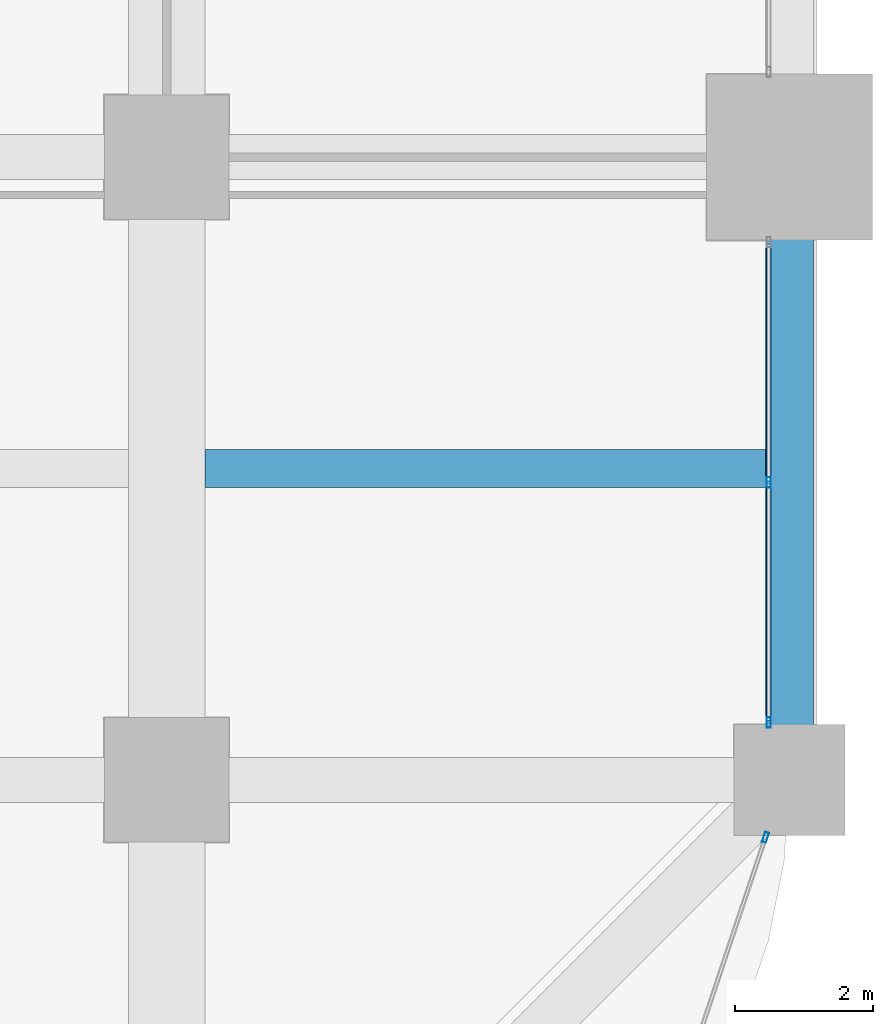
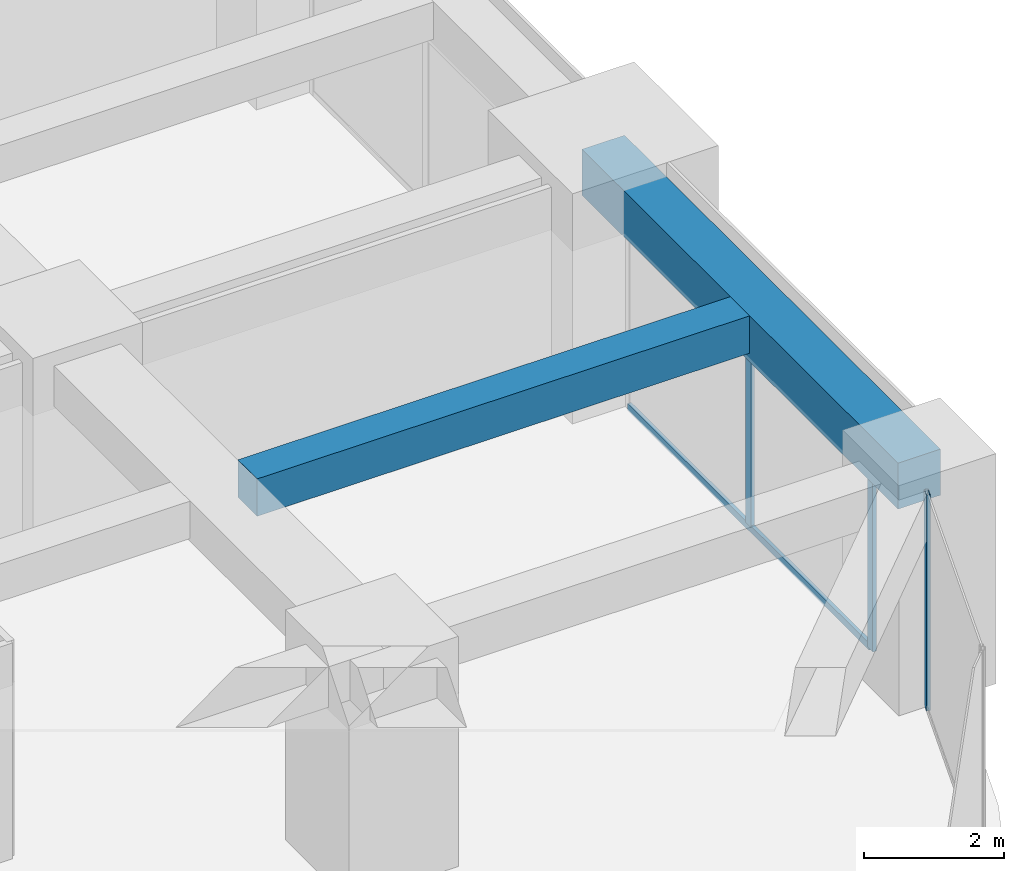
# One storey, part 19 of 40: 4 members, 2 beams, 2 elements without a shape of their own.
"""IFC4 building model written with IfcOpenShell, lengths in metres."""

from ifc_helpers import new_model, si_unit, direction, frame, origin, origin_2d, place, context, subcontext, project, spatial, rectangle, hollow_rectangle, extrude, material, material_profile, profile_set, type_object, element, aggregate, save


model = new_model("IFC4")

# Units and contexts
model_context = context("Model", 3, precision=1e-05, world=origin(), true_north=direction((0.0, 1.0)))
body_context = subcontext(model_context, "Body", "Model", "MODEL_VIEW")
ifc_project = project(units=[si_unit("LENGTHUNIT", "METRE"), si_unit("AREAUNIT", "SQUARE_METRE"), si_unit("VOLUMEUNIT", "CUBIC_METRE"), si_unit("PLANEANGLEUNIT", "RADIAN"), si_unit("MASSUNIT", "GRAM", prefix="KILO")], contexts=[model_context])

# Site, building, storey
site_placement = place(None, origin())
site = spatial("IfcSite", under=ifc_project, at=site_placement, CompositionType="ELEMENT")
building_placement = place(site_placement, origin())
building = spatial("IfcBuilding", under=site, at=building_placement, Name="Zorevar Civic Tower", CompositionType="ELEMENT")
storey_placement = place(building_placement, frame((0.0, 0.0, 129.0)))
storey = spatial("IfcBuildingStorey", under=building, at=storey_placement, Name="L31", CompositionType="ELEMENT", Elevation=129.0)

# Beam
ifc_material_1 = material(Name="Concrete C50/60", Category="concrete")
ifc_material_profile_1 = material_profile(ifc_material_1, rectangle(XDim=0.550048828125, YDim=0.64990234375, at=origin_2d()), Name="RC 550x650")
ifc_profile_set_1 = profile_set([ifc_material_profile_1], Name="Concrete C50/60")
beam_type_1 = type_object("IfcBeamType", Name="Beam RC 550x650", PredefinedType="BEAM", material=ifc_profile_set_1)
beam_1_placement = place(storey_placement, frame((54.550048828125, 13.5, 3.425048828125), z_axis=(1.0, 0.0, 0.0), x_axis=(0.0, 1.0, 0.0)))
element("IfcBeam", 1, at=beam_1_placement, inside=storey, type_object=beam_type_1, Name="Secondary beam L32", PredefinedType="BEAM", context=body_context, shape_type="SweptSolid", body=[
    extrude(rectangle(XDim=0.550048828125, YDim=0.64990234375, at=origin_2d()), origin(), (0.0, 0.0, 1.0), 8.099853515625),
])

# Curtain wall, members
ifc_material_2 = material(Name="Dark grey solar-control glass in black aluminium frame", Category="aluminium")
curtain_wall_type = type_object("IfcCurtainWallType", Name="Curtain wall CW3 mid zone", PredefinedType="NOTDEFINED", material=ifc_material_2)
curtain_wall_1_placement = place(storey_placement, origin())
curtain_wall_1 = element("IfcCurtainWall", 2, at=curtain_wall_1_placement, inside=storey, type_object=curtain_wall_type, Name="CW3 L31", PredefinedType="NOTDEFINED")
ifc_material_3 = material(Name="Aluminium, black anodised", Category="aluminium")
ifc_material_profile_2 = material_profile(ifc_material_3, hollow_rectangle(XDim=0.06005859375, YDim=0.14990234375, WallThickness=0.00390625, at=origin_2d()), Name="AL 150x60x4")
ifc_profile_set_2 = profile_set([ifc_material_profile_2], Name="Aluminium, black anodised")
member_type_1 = type_object("IfcMemberType", Name="CW3 mullion AL 150x60x4", PredefinedType="MULLION", material=ifc_profile_set_2)
member_1_placement = place(storey_placement, frame((62.699951171875, 9.830078125, 0.0), z_axis=(0.0, 0.0, 1.0), x_axis=(-1.0, 0.0, 0.0)))
member_1 = element("IfcMember", 3, at=member_1_placement, type_object=member_type_1, Name="CW3 mullion 1", PredefinedType="MULLION", context=body_context, shape_type="SweptSolid", body=[
    extrude(hollow_rectangle(XDim=0.06005859375, YDim=0.14990234375, WallThickness=0.00390625, at=origin_2d()), origin(), (0.0, 0.0, 1.0), 2.949951171875),
])
member_2_placement = place(storey_placement, frame((62.699951171875, 13.300048828125, 0.06005859375), z_axis=(0.0, 0.0, 1.0), x_axis=(-1.0, 0.0, 0.0)))
member_2 = element("IfcMember", 4, at=member_2_placement, type_object=member_type_1, Name="CW3 mullion 2", PredefinedType="MULLION", context=body_context, shape_type="SweptSolid", body=[
    extrude(hollow_rectangle(XDim=0.06005859375, YDim=0.14990234375, WallThickness=0.00390625, at=origin_2d()), origin(), (0.0, 0.0, 1.0), 2.889892578125),
])

# Curtain wall, member
curtain_wall_2_placement = place(storey_placement, origin())
curtain_wall_2 = element("IfcCurtainWall", 5, at=curtain_wall_2_placement, inside=storey, type_object=curtain_wall_type, Name="CW3 L31", PredefinedType="NOTDEFINED")
member_3_placement = place(storey_placement, frame((62.653564453125, 8.171630859375, 0.0), z_axis=(0.0, 0.0, 1.0), x_axis=(-0.948227238701, 0.317592669603, 0.0)))
member_3 = element("IfcMember", 6, at=member_3_placement, type_object=member_type_1, Name="CW3 mullion 2", PredefinedType="MULLION", context=body_context, shape_type="SweptSolid", body=[
    extrude(hollow_rectangle(XDim=0.06005859375, YDim=0.14990234375, WallThickness=0.00390625, at=origin_2d()), origin(), (0.0, 0.0, 1.0), 3.75),
])
aggregate(curtain_wall_2, [member_3])

# Member
ifc_material_4 = material(Name="Aluminium, black anodised", Category="aluminium")
ifc_material_profile_3 = material_profile(ifc_material_4, hollow_rectangle(XDim=0.06005859375, YDim=0.1201171875, WallThickness=0.0029296875, at=origin_2d()), Name="AL 120x60x3")
ifc_profile_set_3 = profile_set([ifc_material_profile_3], Name="Aluminium, black anodised")
member_type_2 = type_object("IfcMemberType", Name="CW3 transom AL 120x60x3", PredefinedType="USERDEFINED", material=ifc_profile_set_3)
member_4_placement = place(storey_placement, frame((62.699951171875, 9.860107421875, 0.030029296875), z_axis=(0.0, 1.0, 0.0), x_axis=(-1.0, 0.0, 0.0)))
member_4 = element("IfcMember", 7, at=member_4_placement, type_object=member_type_2, Name="CW3 sill transom", ObjectType="TRANSOM", PredefinedType="USERDEFINED", context=body_context, shape_type="SweptSolid", body=[
    extrude(hollow_rectangle(XDim=0.06005859375, YDim=0.1201171875, WallThickness=0.0029296875, at=origin_2d()), origin(), (0.0, 0.0, 1.0), 6.8798828125),
])

aggregate(curtain_wall_1, [member_1, member_2, member_4])

# Beam
ifc_material_5 = material(Name="Concrete C50/60", Category="concrete")
ifc_material_profile_4 = material_profile(ifc_material_5, rectangle(XDim=0.699951171875, YDim=0.800048828125, at=origin_2d()), Name="RC 700x800")
ifc_profile_set_4 = profile_set([ifc_material_profile_4], Name="Concrete C50/60")
beam_type_2 = type_object("IfcBeamType", Name="Edge beam RC 700x800", PredefinedType="SPANDREL", material=ifc_profile_set_4)
beam_2_placement = place(storey_placement, frame((63.0, 9.0, 3.35009765625), z_axis=(0.0, 1.0, 0.0), x_axis=(-1.0, 0.0, 0.0)))
element("IfcBeam", 8, at=beam_2_placement, inside=storey, type_object=beam_type_2, Name="Edge beam L32", PredefinedType="SPANDREL", context=body_context, shape_type="SweptSolid", body=[
    extrude(rectangle(XDim=0.699951171875, YDim=0.800048828125, at=origin_2d()), origin(), (0.0, 0.0, 1.0), 9.0),
])

save(model, "model.ifc")
